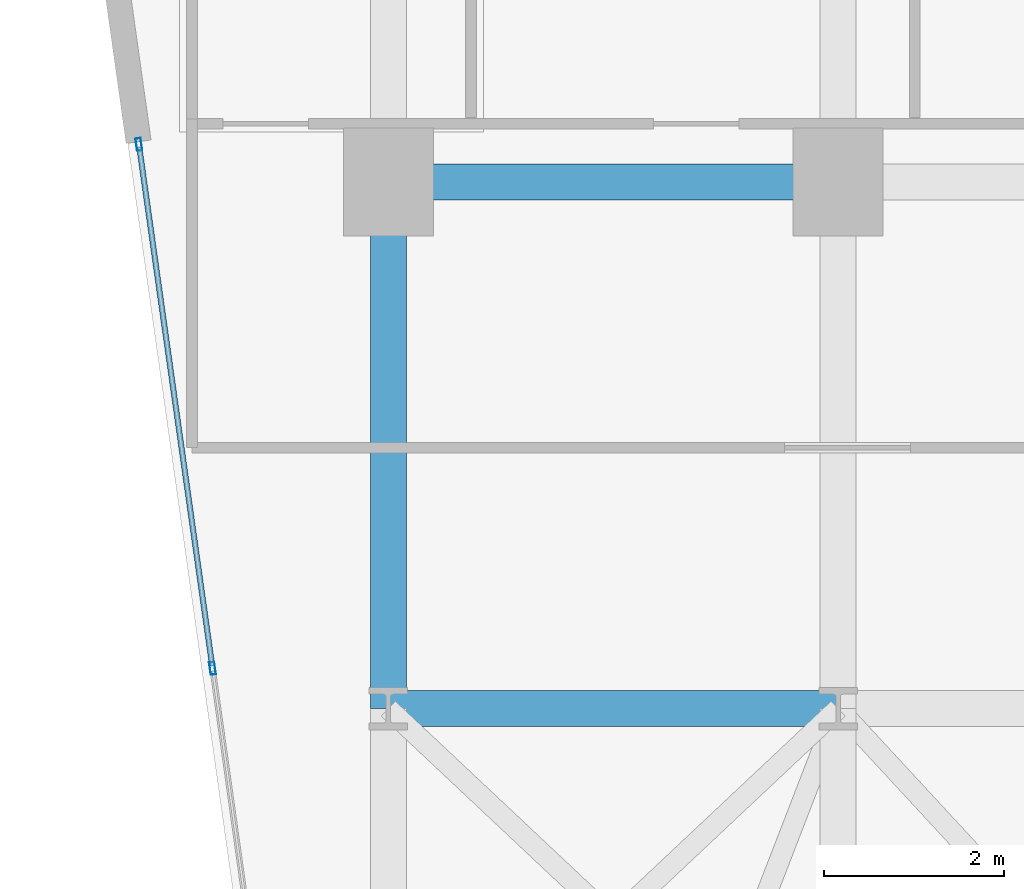
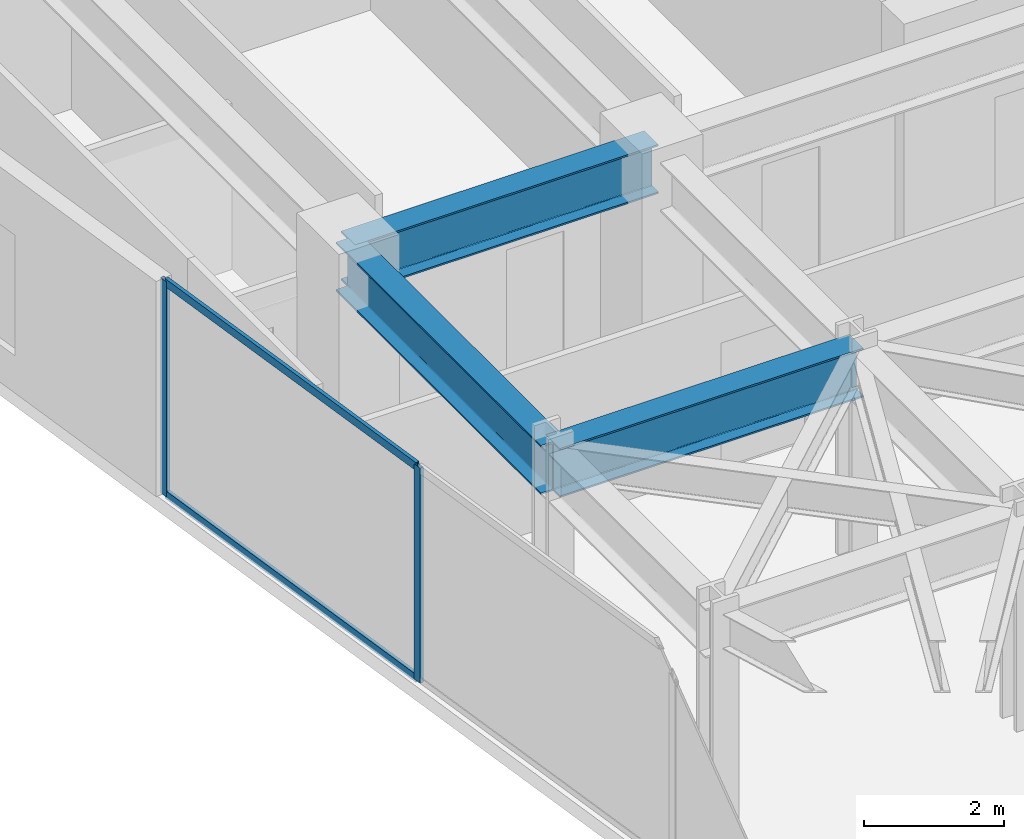
# One storey, part 11 of 26: 4 members, 3 beams, 1 element without a shape of its own.
"""IFC4 building model written with IfcOpenShell, lengths in metres."""

from ifc_helpers import new_model, si_unit, direction, frame, origin, origin_2d, place, context, subcontext, project, spatial, hollow_rectangle, i_section, extrude, material, layer, layer_set, material_profile, profile_set, type_object, element, aggregate, save


model = new_model("IFC4")

# Units and contexts
model_context = context("Model", 3, precision=1e-05, world=origin(), true_north=direction((0.0, 1.0)))
body_context = subcontext(model_context, "Body", "Model", "MODEL_VIEW")
ifc_project = project(units=[si_unit("LENGTHUNIT", "METRE"), si_unit("AREAUNIT", "SQUARE_METRE"), si_unit("VOLUMEUNIT", "CUBIC_METRE"), si_unit("PLANEANGLEUNIT", "RADIAN"), si_unit("MASSUNIT", "GRAM", prefix="KILO")], contexts=[model_context])

# Site, building, storey
site_placement = place(None, origin())
site = spatial("IfcSite", under=ifc_project, at=site_placement, CompositionType="ELEMENT")
building_placement = place(site_placement, origin())
building = spatial("IfcBuilding", under=site, at=building_placement, Name="Kravanh Interchange Tower", CompositionType="ELEMENT")
storey_placement = place(building_placement, frame((0.0, 0.0, 120.0)))
storey = spatial("IfcBuildingStorey", under=building, at=storey_placement, Name="L28", CompositionType="ELEMENT", Elevation=120.0)

# Curtain wall, members
ifc_material_1 = material(Name="Anodised Bronze Aluminium", Category="aluminium")
ifc_layer = layer(ifc_material_1, 0.179931640625)
ifc_layer_set = layer_set([ifc_layer], Name="Unitised Curtain Wall System CW-Z2 Mid Office")
curtain_wall_type = type_object("IfcCurtainWallType", Name="Unitised Curtain Wall System CW-Z2 Mid Office", PredefinedType="NOTDEFINED", material=ifc_layer_set)
curtain_wall_placement = place(storey_placement, origin())
curtain_wall = element("IfcCurtainWall", 1, at=curtain_wall_placement, inside=storey, type_object=curtain_wall_type, Name="L28 Unitised Curtain Wall CW-L28-01", PredefinedType="NOTDEFINED")
ifc_material_2 = material(Name="Anodised Bronze Aluminium", Category="aluminium")
ifc_material_profile_1 = material_profile(ifc_material_2, hollow_rectangle(XDim=0.06005859375, YDim=0.139892578125, WallThickness=0.00390625, at=origin_2d()), Name="ALU60X140X4")
ifc_profile_set_1 = profile_set([ifc_material_profile_1], Name="Anodised Bronze Aluminium")
member_type_1 = type_object("IfcMemberType", Name="Curtain Wall Mullion ALU60X140X4 Bronze", PredefinedType="MULLION", material=ifc_profile_set_1)
member_1_placement = place(storey_placement, frame((11.6474609375, 31.94775390625, 0.0), z_axis=(0.0, 0.0, 1.0), x_axis=(-0.990268103846, -0.13917285118, 0.0)))
member_1 = element("IfcMember", 2, at=member_1_placement, type_object=member_type_1, Name="CW-Z2 mullion 5", PredefinedType="MULLION", context=body_context, shape_type="SweptSolid", body=[
    extrude(hollow_rectangle(XDim=0.06005859375, YDim=0.139892578125, WallThickness=0.00390625, at=origin_2d()), origin(), (0.0, 0.0, 1.0), 3.75),
])
member_2_placement = place(storey_placement, frame((10.8291015625, 37.770263671875, 0.0), z_axis=(0.0, 0.0, 1.0), x_axis=(-0.990268103846, -0.13917285118, 0.0)))
member_2 = element("IfcMember", 3, at=member_2_placement, type_object=member_type_1, Name="CW-Z2 mullion 6", PredefinedType="MULLION", context=body_context, shape_type="SweptSolid", body=[
    extrude(hollow_rectangle(XDim=0.06005859375, YDim=0.139892578125, WallThickness=0.00390625, at=origin_2d()), origin(), (0.0, 0.0, 1.0), 3.75),
])
ifc_material_3 = material(Name="Anodised Bronze Aluminium", Category="aluminium")
ifc_material_profile_2 = material_profile(ifc_material_3, hollow_rectangle(XDim=0.06005859375, YDim=0.139892578125, WallThickness=0.00390625, at=origin_2d()), Name="ALU60X140X4")
ifc_profile_set_2 = profile_set([ifc_material_profile_2], Name="Anodised Bronze Aluminium")
member_type_2 = type_object("IfcMemberType", Name="Curtain Wall Transom ALU60X140X4 Bronze", PredefinedType="USERDEFINED", material=ifc_profile_set_2)
member_3_placement = place(storey_placement, frame((11.643310546875, 31.9775390625, 0.030029296875), z_axis=(-0.139195052528, 0.990264983402, 0.0), x_axis=(-0.990264983402, -0.139195052528, 0.0)))
member_3 = element("IfcMember", 4, at=member_3_placement, type_object=member_type_2, Name="CW-Z2 transom 5.1", ObjectType="TRANSOM", PredefinedType="USERDEFINED", context=body_context, shape_type="SweptSolid", body=[
    extrude(hollow_rectangle(XDim=0.06005859375, YDim=0.139892578125, WallThickness=0.00390625, at=origin_2d()), origin(), (0.0, 0.0, 1.0), 5.819580078125),
])
member_4_placement = place(storey_placement, frame((11.643310546875, 31.9775390625, 3.719970703125), z_axis=(-0.139195052528, 0.990264983402, 0.0), x_axis=(-0.990264983402, -0.139195052528, 0.0)))
member_4 = element("IfcMember", 5, at=member_4_placement, type_object=member_type_2, Name="CW-Z2 transom 5.2", ObjectType="TRANSOM", PredefinedType="USERDEFINED", context=body_context, shape_type="SweptSolid", body=[
    extrude(hollow_rectangle(XDim=0.06005859375, YDim=0.139892578125, WallThickness=0.00390625, at=origin_2d()), origin(), (0.0, 0.0, 1.0), 5.819580078125),
])
aggregate(curtain_wall, [member_1, member_2, member_3, member_4])

# Beams
ifc_material_4 = material(Name="Structural Steel S355", Category="steel")
ifc_material_profile_3 = material_profile(ifc_material_4, i_section(OverallWidth=0.39990234375, OverallDepth=0.85595703125, WebThickness=0.018310546875, FlangeThickness=0.029296875, FilletRadius=0.02490234375, at=origin_2d()), Name="W33X201")
ifc_profile_set_3 = profile_set([ifc_material_profile_3], Name="Structural Steel S355")
beam_type = type_object("IfcBeamType", Name="Floor Beam W33X201 Structural Steel S355", PredefinedType="BEAM", material=ifc_profile_set_3)
beam_1_placement = place(storey_placement, frame((18.60009765625, 37.35009765625, 3.322021484375), z_axis=(-1.0, 0.0, 0.0), x_axis=(0.0, -1.0, 0.0)))
element("IfcBeam", 6, at=beam_1_placement, inside=storey, type_object=beam_type, Name="L28 Primary Floor Girder 28", PredefinedType="BEAM", context=body_context, shape_type="SweptSolid", body=[
    extrude(i_section(OverallWidth=0.39990234375, OverallDepth=0.85595703125, WebThickness=0.018310546875, FlangeThickness=0.029296875, FilletRadius=0.02490234375, at=origin_2d()), origin(), (0.0, 0.0, 1.0), 5.0),
])
beam_2_placement = place(storey_placement, frame((13.60009765625, 37.35009765625, 3.322021484375), z_axis=(0.0, -1.0, 0.0), x_axis=(1.0, 0.0, 0.0)))
element("IfcBeam", 7, at=beam_2_placement, inside=storey, type_object=beam_type, Name="L28 Primary Floor Girder 32", PredefinedType="BEAM", context=body_context, shape_type="SweptSolid", body=[
    extrude(i_section(OverallWidth=0.39990234375, OverallDepth=0.85595703125, WebThickness=0.018310546875, FlangeThickness=0.029296875, FilletRadius=0.02490234375, at=origin_2d()), origin(), (0.0, 0.0, 1.0), 5.85009765625),
])
beam_3_placement = place(storey_placement, frame((13.60009765625, 31.5, 3.322021484375), z_axis=(1.0, 0.0, 0.0), x_axis=(0.0, 1.0, 0.0)))
element("IfcBeam", 8, at=beam_3_placement, inside=storey, type_object=beam_type, Name="L28 Primary Floor Girder 69", PredefinedType="BEAM", context=body_context, shape_type="SweptSolid", body=[
    extrude(i_section(OverallWidth=0.39990234375, OverallDepth=0.85595703125, WebThickness=0.018310546875, FlangeThickness=0.029296875, FilletRadius=0.02490234375, at=origin_2d()), origin(), (0.0, 0.0, 1.0), 5.0),
])

save(model, "model.ifc")
